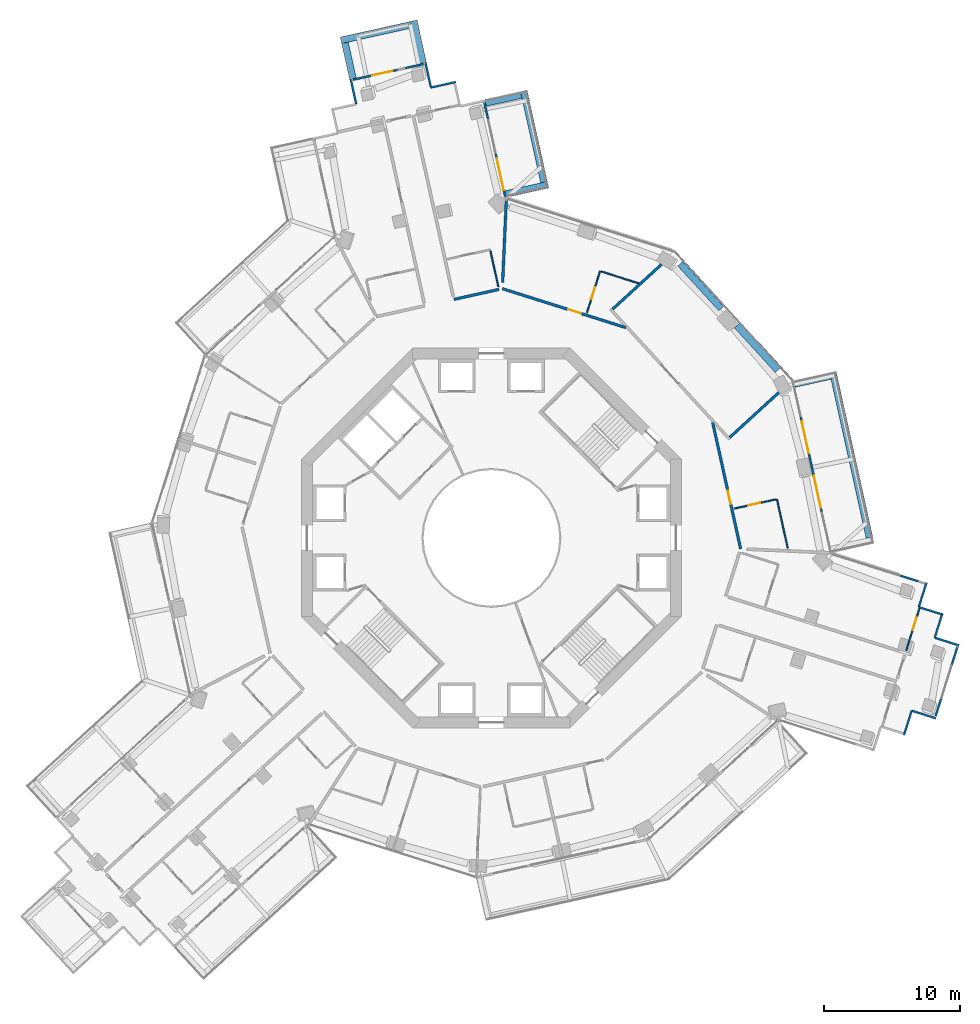
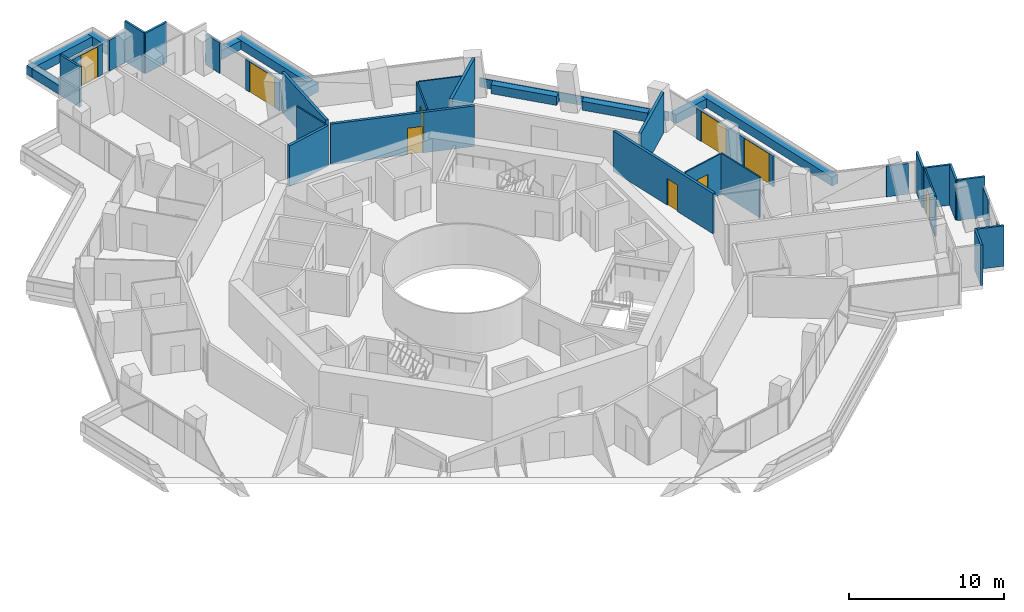
# One storey, part 21 of 24: 41 walls, 9 doors, 9 openings.
"""IFC4 building model written with IfcOpenShell, lengths in metres."""

from ifc_helpers import new_model, si_unit, direction, frame, frame_2d, origin, place, context, subcontext, project, spatial, rectangle, extrude, material, layer, layer_set, type_object, element, fill, save


model = new_model("IFC4")

# Units and contexts
model_context = context("Model", 3, precision=1e-05, world=origin(), true_north=direction((0.0, 1.0)))
body_context = subcontext(model_context, "Body", "Model", "MODEL_VIEW")
ifc_project = project(units=[si_unit("LENGTHUNIT", "METRE"), si_unit("AREAUNIT", "SQUARE_METRE"), si_unit("VOLUMEUNIT", "CUBIC_METRE"), si_unit("PLANEANGLEUNIT", "RADIAN"), si_unit("MASSUNIT", "GRAM", prefix="KILO")], contexts=[model_context])

# Site, building, storey
site_placement = place(None, origin())
site = spatial("IfcSite", under=ifc_project, at=site_placement, CompositionType="ELEMENT")
building_placement = place(site_placement, origin())
building = spatial("IfcBuilding", under=site, at=building_placement, Name="Verdalira Terraces Hotel", CompositionType="ELEMENT")
storey_placement = place(building_placement, frame((0.0, 0.0, 86.0)))
storey = spatial("IfcBuildingStorey", under=building, at=storey_placement, Name="L19", CompositionType="ELEMENT", Elevation=86.0)

# Walls
ifc_material_1 = material(Name="Concrete C40", Category="concrete")
ifc_layer_1 = layer(ifc_material_1, 0.5)
ifc_layer_set_1 = layer_set([ifc_layer_1], Name="Balcony planter trough with tree")
wall_type_1 = type_object("IfcWallType", Name="Balcony planter trough with tree", PredefinedType="SOLIDWALL", material=ifc_layer_set_1)
wall_1_placement = place(storey_placement, frame((-5.029785, 34.987793, 0.0), z_axis=(0.0, 0.0, 1.0), x_axis=(-0.216049597, 0.97638239, 0.0)))
element("IfcWall", 1, at=wall_1_placement, inside=storey, type_object=wall_type_1, Name="Balcony planter", PredefinedType="SOLIDWALL", context=body_context, shape_type="SweptSolid", body=[
    extrude(rectangle(XDim=3.198975, YDim=0.5, at=frame_2d((1.599609, 0.0))), origin(), (0.0, 0.0, 1.0), 0.699951),
])
wall_2_placement = place(storey_placement, frame((-5.911133, 37.813232, 0.0), z_axis=(0.0, 0.0, 1.0), x_axis=(-0.976362332, -0.216140225, 0.0)))
element("IfcWall", 2, at=wall_2_placement, inside=storey, type_object=wall_type_1, Name="Balcony planter", PredefinedType="SOLIDWALL", context=body_context, shape_type="SweptSolid", body=[
    extrude(rectangle(XDim=5.299805, YDim=0.5, at=frame_2d((2.649902, 0.0))), origin(), (0.0, 0.0, 1.0), 0.699951),
])
wall_3_placement = place(storey_placement, frame((-10.787598, 36.477783, 0.0), z_axis=(0.0, 0.0, 1.0), x_axis=(0.216097128, -0.976371871, 0.0)))
element("IfcWall", 3, at=wall_3_placement, inside=storey, type_object=wall_type_1, Name="Balcony planter", PredefinedType="SOLIDWALL", context=body_context, shape_type="SweptSolid", body=[
    extrude(rectangle(XDim=2.698975, YDim=0.5, at=frame_2d((1.349609, 0.0))), origin(), (0.0, 0.0, 1.0), 0.699951),
])
wall_4_placement = place(storey_placement, frame((27.862061, 0.021484, 0.0), z_axis=(0.0, 0.0, 1.0), x_axis=(-0.216094896, 0.976372365, 0.0)))
element("IfcWall", 4, at=wall_4_placement, inside=storey, type_object=wall_type_1, Name="Balcony planter", PredefinedType="SOLIDWALL", context=body_context, shape_type="SweptSolid", body=[
    extrude(rectangle(XDim=12.5, YDim=0.5, at=frame_2d((6.25, 0.0))), origin(), (0.0, 0.0, 1.0), 0.699951),
])
wall_5_placement = place(storey_placement, frame((24.970703, 11.927979, 0.0), z_axis=(0.0, 0.0, 1.0), x_axis=(-0.976371871, -0.216097128, 0.0)))
element("IfcWall", 5, at=wall_5_placement, inside=storey, type_object=wall_type_1, Name="Balcony planter", PredefinedType="SOLIDWALL", context=body_context, shape_type="SweptSolid", body=[
    extrude(rectangle(XDim=2.698975, YDim=0.5, at=frame_2d((1.349609, 0.0))), origin(), (0.0, 0.0, 1.0), 0.699951),
])
wall_6_placement = place(storey_placement, frame((1.05127, 25.333984, 0.0), z_axis=(0.0, 0.0, 1.0), x_axis=(0.976362724, 0.216138453, 0.0)))
element("IfcWall", 6, at=wall_6_placement, inside=storey, type_object=wall_type_1, Name="Balcony planter", PredefinedType="SOLIDWALL", context=body_context, shape_type="SweptSolid", body=[
    extrude(rectangle(XDim=3.198975, YDim=0.5, at=frame_2d((1.599609, 0.0))), origin(), (0.0, 0.0, 1.0), 0.699951),
])
wall_7_placement = place(storey_placement, frame((3.876465, 26.215576, 0.0), z_axis=(0.0, 0.0, 1.0), x_axis=(-0.216086038, 0.976374326, 0.0)))
element("IfcWall", 7, at=wall_7_placement, inside=storey, type_object=wall_type_1, Name="Balcony planter", PredefinedType="SOLIDWALL", context=body_context, shape_type="SweptSolid", body=[
    extrude(rectangle(XDim=6.888672, YDim=0.5, at=frame_2d((3.444336, 0.0))), origin(), (0.0, 0.0, 1.0), 0.699951),
])
wall_8_placement = place(storey_placement, frame((2.197754, 32.643311, 0.0), z_axis=(0.0, 0.0, 1.0), x_axis=(-0.976371871, -0.216097128, 0.0)))
element("IfcWall", 8, at=wall_8_placement, inside=storey, type_object=wall_type_1, Name="Balcony planter", PredefinedType="SOLIDWALL", context=body_context, shape_type="SweptSolid", body=[
    extrude(rectangle(XDim=2.698975, YDim=0.5, at=frame_2d((1.349609, 0.0))), origin(), (0.0, 0.0, 1.0), 0.699951),
])
ifc_material_2 = material(Name="Moisture-resistant gypsum board partition")
ifc_layer_2 = layer(ifc_material_2, 0.10009765625)
ifc_layer_set_2 = layer_set([ifc_layer_2], Name="Bathroom partition 100 mm")
wall_type_2 = type_object("IfcWallType", Name="Bathroom partition 100 mm", PredefinedType="PARTITIONING", material=ifc_layer_set_2)
wall_9_placement = place(storey_placement, frame((0.512939, 18.506348, 0.0), z_axis=(0.0, 0.0, 1.0), x_axis=(-0.216107015, 0.976369683, 0.0)))
element("IfcWall", 9, at=wall_9_placement, inside=storey, type_object=wall_type_2, Name="Bathroom partition", PredefinedType="PARTITIONING", context=body_context, shape_type="SweptSolid", body=[
    extrude(rectangle(XDim=2.699951, YDim=0.100098, at=frame_2d((1.350098, 0.0))), origin(), (0.0, 0.0, 1.0), 3.189941),
])

# Wall, opening, door
wall_10_placement = place(storey_placement, frame((8.008057, 19.659668, 0.0), z_axis=(0.0, 0.0, 1.0), x_axis=(-0.30096706, -0.953634536, 0.0)))
wall_10 = element("IfcWall", 10, at=wall_10_placement, inside=storey, type_object=wall_type_2, Name="Bathroom partition", PredefinedType="PARTITIONING", context=body_context, shape_type="SweptSolid", body=[
    extrude(rectangle(XDim=3.200195, YDim=0.100098, at=frame_2d((1.600098, 0.0))), origin(), (0.0, 0.0, 1.0), 3.189941),
])
opening_1_placement = place(wall_10_placement, frame((1.25, 0.0, 0.0)))
opening_1 = element("IfcOpeningElement", 11, at=opening_1_placement, cuts=wall_10, Name="Opening L19-136", PredefinedType="OPENING", context=body_context, shape_type="SweptSolid", body=[
    extrude(rectangle(XDim=0.899902, YDim=2.100098, at=frame_2d((0.449951, 1.050049))), frame((0.0, 0.060059, 0.0), z_axis=(0.0, -1.0, 0.0), x_axis=(1.0, 0.0, 0.0)), (0.0, 0.0, 1.0), 0.120117),
])
ifc_material_3 = material(Name="Timber door", Category="wood")
door_type_1 = type_object("IfcDoorType", Name="Bathroom door 900 x 2100", OperationType="NOTDEFINED", PredefinedType="DOOR", material=ifc_material_3)
door_1_placement = place(opening_1_placement, origin())
door_1 = element("IfcDoor", 12, at=door_1_placement, inside=storey, type_object=door_type_1, Name="Bathroom door 1912", OperationType="SINGLE_SWING_LEFT", OverallHeight=2.10009765625, OverallWidth=0.89990234375, PredefinedType="DOOR", context=body_context, shape_type="SweptSolid", body=[
    extrude(rectangle(XDim=0.899902, YDim=2.100098, at=frame_2d((0.449951, 1.050049))), frame((0.0, 0.024902, 0.0), z_axis=(0.0, -1.0, 0.0), x_axis=(1.0, 0.0, 0.0)), (0.0, 0.0, 1.0), 0.050049),
])
fill(opening_1, door_1)

# Wall
wall_11_placement = place(storey_placement, frame((8.103516, 19.629395, 0.0), z_axis=(0.0, 0.0, 1.0), x_axis=(0.953625738, -0.300994936, 0.0)))
element("IfcWall", 13, at=wall_11_placement, inside=storey, type_object=wall_type_2, Name="Bathroom partition", PredefinedType="PARTITIONING", context=body_context, shape_type="SweptSolid", body=[
    extrude(rectangle(XDim=2.911865, YDim=0.100098, at=frame_2d((1.456055, 0.0))), origin(), (0.0, 0.0, 1.0), 3.189941),
])

# Wall, opening, door
wall_12_placement = place(storey_placement, frame((20.940674, 2.833984, 0.0), z_axis=(0.0, 0.0, 1.0), x_axis=(-0.976368326, -0.216113147, 0.0)))
wall_12 = element("IfcWall", 14, at=wall_12_placement, inside=storey, type_object=wall_type_2, Name="Bathroom partition", PredefinedType="PARTITIONING", context=body_context, shape_type="SweptSolid", body=[
    extrude(rectangle(XDim=3.099854, YDim=0.100098, at=frame_2d((1.549805, 0.0))), origin(), (0.0, 0.0, 1.0), 3.189941),
])
opening_2_placement = place(wall_12_placement, frame((1.149902, 0.0, 0.0)))
opening_2 = element("IfcOpeningElement", 15, at=opening_2_placement, cuts=wall_12, Name="Opening L19-134", PredefinedType="OPENING", context=body_context, shape_type="SweptSolid", body=[
    extrude(rectangle(XDim=0.899902, YDim=2.100098, at=frame_2d((0.449951, 1.050049))), frame((0.0, 0.060059, 0.0), z_axis=(0.0, -1.0, 0.0), x_axis=(1.0, 0.0, 0.0)), (0.0, 0.0, 1.0), 0.120117),
])
door_2_placement = place(opening_2_placement, origin())
door_2 = element("IfcDoor", 16, at=door_2_placement, inside=storey, type_object=door_type_1, Name="Bathroom door 1911", OperationType="SINGLE_SWING_LEFT", OverallHeight=2.10009765625, OverallWidth=0.89990234375, PredefinedType="DOOR", context=body_context, shape_type="SweptSolid", body=[
    extrude(rectangle(XDim=0.899902, YDim=2.100098, at=frame_2d((0.449951, 1.050049))), frame((0.0, 0.024902, 0.0), z_axis=(0.0, -1.0, 0.0), x_axis=(1.0, 0.0, 0.0)), (0.0, 0.0, 1.0), 0.050049),
])
fill(opening_2, door_2)

# Wall
wall_13_placement = place(storey_placement, frame((21.03833, 2.855469, 0.0), z_axis=(0.0, 0.0, 1.0), x_axis=(0.2161278, -0.976365082, 0.0)))
element("IfcWall", 17, at=wall_13_placement, inside=storey, type_object=wall_type_2, Name="Bathroom partition", PredefinedType="PARTITIONING", context=body_context, shape_type="SweptSolid", body=[
    extrude(rectangle(XDim=3.704102, YDim=0.100098, at=frame_2d((1.852051, 0.0))), origin(), (0.0, 0.0, 1.0), 3.189941),
])

# Wall, opening, door
wall_14_placement = place(storey_placement, frame((30.570312, -8.287354, 0.0), z_axis=(0.0, 0.0, 1.0), x_axis=(0.301030769, 0.953614427, 0.0)))
wall_14 = element("IfcWall", 18, at=wall_14_placement, inside=storey, type_object=wall_type_2, Name="Bathroom partition", PredefinedType="PARTITIONING", context=body_context, shape_type="SweptSolid", body=[
    extrude(rectangle(XDim=3.252197, YDim=0.100098, at=frame_2d((1.625977, 0.0))), origin(), (0.0, 0.0, 1.0), 3.189941),
])
opening_3_placement = place(wall_14_placement, frame((1.550049, 0.0, 0.0)))
opening_3 = element("IfcOpeningElement", 19, at=opening_3_placement, cuts=wall_14, Name="Opening L19-130", PredefinedType="OPENING", context=body_context, shape_type="SweptSolid", body=[
    extrude(rectangle(XDim=1.0, YDim=2.100098, at=frame_2d((0.5, 1.050049))), frame((0.0, 0.060059, 0.0), z_axis=(0.0, -1.0, 0.0), x_axis=(1.0, 0.0, 0.0)), (0.0, 0.0, 1.0), 0.120117),
])
ifc_material_4 = material(Name="Timber door", Category="wood")
door_type_2 = type_object("IfcDoorType", Name="Suite internal door 1000 x 2100", OperationType="NOTDEFINED", PredefinedType="DOOR", material=ifc_material_4)
door_3_placement = place(opening_3_placement, origin())
door_3 = element("IfcDoor", 20, at=door_3_placement, inside=storey, type_object=door_type_2, Name="Suite internal door 1910", OperationType="SINGLE_SWING_LEFT", OverallHeight=2.10009765625, OverallWidth=1.0, PredefinedType="DOOR", context=body_context, shape_type="SweptSolid", body=[
    extrude(rectangle(XDim=1.0, YDim=2.100098, at=frame_2d((0.5, 1.050049))), frame((0.0, 0.024902, 0.0), z_axis=(0.0, -1.0, 0.0), x_axis=(1.0, 0.0, 0.0)), (0.0, 0.0, 1.0), 0.050049),
])
fill(opening_3, door_3)

# Walls
ifc_material_5 = material(Name="Fire-rated gypsum board wall")
ifc_layer_3 = layer(ifc_material_5, 0.199951171875)
ifc_layer_set_3 = layer_set([ifc_layer_3], Name="Demising wall 200 mm")
wall_type_3 = type_object("IfcWallType", Name="Demising wall 200 mm", PredefinedType="SOLIDWALL", material=ifc_layer_set_3)
wall_15_placement = place(storey_placement, frame((1.097656, 24.939941, 0.0), z_axis=(0.0, 0.0, 1.0), x_axis=(-0.04399355, -0.999031815, 0.0)))
element("IfcWall", 21, at=wall_15_placement, inside=storey, type_object=wall_type_3, Name="Demising wall", PredefinedType="SOLIDWALL", context=body_context, shape_type="SweptSolid", body=[
    extrude(rectangle(XDim=6.13208, YDim=0.199951, at=frame_2d((3.065918, 0.0))), origin(), (0.0, 0.0, 1.0), 3.189941),
])
ifc_material_6 = material(Name="Fire-rated gypsum board wall")
ifc_layer_4 = layer(ifc_material_6, 0.199951171875)
ifc_layer_set_4 = layer_set([ifc_layer_4], Name="Guest corridor wall 200 mm")
wall_type_4 = type_object("IfcWallType", Name="Guest corridor wall 200 mm", PredefinedType="SOLIDWALL", material=ifc_layer_set_4)
wall_16_placement = place(storey_placement, frame((0.556152, 18.311279, 0.0), z_axis=(0.0, 0.0, 1.0), x_axis=(-0.976362456, -0.216139663, 0.0)))
element("IfcWall", 22, at=wall_16_placement, inside=storey, type_object=wall_type_4, Name="Guest corridor wall", PredefinedType="SOLIDWALL", context=body_context, shape_type="SweptSolid", body=[
    extrude(rectangle(XDim=3.399902, YDim=0.199951, at=frame_2d((1.699951, 0.0))), origin(), (0.0, 0.0, 1.0), 3.189941),
])

# Wall, opening, door
wall_17_placement = place(storey_placement, frame((0.80835, 18.366943, 0.0), z_axis=(0.0, 0.0, 1.0), x_axis=(0.953613226, -0.301034575, 0.0)))
wall_17 = element("IfcWall", 23, at=wall_17_placement, inside=storey, type_object=wall_type_4, Name="Guest corridor wall", PredefinedType="SOLIDWALL", context=body_context, shape_type="SweptSolid", body=[
    extrude(rectangle(XDim=9.536621, YDim=0.199951, at=frame_2d((4.768311, 0.0))), origin(), (0.0, 0.0, 1.0), 3.189941),
])
opening_4_placement = place(wall_17_placement, frame((5.100098, 0.0, 0.0)))
opening_4 = element("IfcOpeningElement", 24, at=opening_4_placement, cuts=wall_17, Name="Opening L19-135", PredefinedType="OPENING", context=body_context, shape_type="SweptSolid", body=[
    extrude(rectangle(XDim=1.0, YDim=2.100098, at=frame_2d((0.5, 1.050049))), frame((0.0, 0.109863, 0.0), z_axis=(0.0, -1.0, 0.0), x_axis=(1.0, 0.0, 0.0)), (0.0, 0.0, 1.0), 0.219971),
])
ifc_material_7 = material(Name="Timber fire door", Category="wood")
door_type_3 = type_object("IfcDoorType", Name="Guest entry door 1000 x 2100", OperationType="NOTDEFINED", PredefinedType="DOOR", material=ifc_material_7)
door_4_placement = place(opening_4_placement, origin())
door_4 = element("IfcDoor", 25, at=door_4_placement, inside=storey, type_object=door_type_3, Name="Guest entry door 1912", OperationType="SINGLE_SWING_LEFT", OverallHeight=2.10009765625, OverallWidth=1.0, PredefinedType="DOOR", context=body_context, shape_type="SweptSolid", body=[
    extrude(rectangle(XDim=1.0, YDim=2.100098, at=frame_2d((0.5, 1.050049))), frame((0.0, 0.024902, 0.0), z_axis=(0.0, -1.0, 0.0), x_axis=(1.0, 0.0, 0.0)), (0.0, 0.0, 1.0), 0.050049),
])
fill(opening_4, door_4)

wall_18_placement = place(storey_placement, frame((16.306152, 8.50293, 0.0), z_axis=(0.0, 0.0, 1.0), x_axis=(0.216092794, -0.976372831, 0.0)))
wall_18 = element("IfcWall", 26, at=wall_18_placement, inside=storey, type_object=wall_type_4, Name="Guest corridor wall", PredefinedType="SOLIDWALL", context=body_context, shape_type="SweptSolid", body=[
    extrude(rectangle(XDim=9.536621, YDim=0.199951, at=frame_2d((4.768311, 0.0))), origin(), (0.0, 0.0, 1.0), 3.189941),
])
opening_5_placement = place(wall_18_placement, frame((5.149902, 0.0, 0.0)))
opening_5 = element("IfcOpeningElement", 27, at=opening_5_placement, cuts=wall_18, Name="Opening L19-133", PredefinedType="OPENING", context=body_context, shape_type="SweptSolid", body=[
    extrude(rectangle(XDim=1.0, YDim=2.100098, at=frame_2d((0.5, 1.050049))), frame((0.0, 0.109863, 0.0), z_axis=(0.0, -1.0, 0.0), x_axis=(1.0, 0.0, 0.0)), (0.0, 0.0, 1.0), 0.219971),
])
door_5_placement = place(opening_5_placement, origin())
door_5 = element("IfcDoor", 28, at=door_5_placement, inside=storey, type_object=door_type_3, Name="Guest entry door 1911", OperationType="SINGLE_SWING_LEFT", OverallHeight=2.10009765625, OverallWidth=1.0, PredefinedType="DOOR", context=body_context, shape_type="SweptSolid", body=[
    extrude(rectangle(XDim=1.0, YDim=2.100098, at=frame_2d((0.5, 1.050049))), frame((0.0, 0.024902, 0.0), z_axis=(0.0, -1.0, 0.0), x_axis=(1.0, 0.0, 0.0)), (0.0, 0.0, 1.0), 0.050049),
])
fill(opening_5, door_5)

# Walls
ifc_material_8 = material(Name="Terracotta cladding", Category="masonry")
ifc_layer_5 = layer(ifc_material_8, 0.199951171875)
ifc_layer_set_5 = layer_set([ifc_layer_5], Name="Loggia back wall 200")
wall_type_5 = type_object("IfcWallType", Name="Loggia back wall 200", PredefinedType="SOLIDWALL", material=ifc_layer_set_5)
wall_19_placement = place(storey_placement, frame((21.183594, 10.719727, 0.0), z_axis=(0.0, 0.0, 1.0), x_axis=(-0.737511524, -0.675334548, 0.0)))
element("IfcWall", 29, at=wall_19_placement, inside=storey, type_object=wall_type_5, Name="Loggia side wall", PredefinedType="SOLIDWALL", context=body_context, shape_type="SweptSolid", body=[
    extrude(rectangle(XDim=4.904297, YDim=0.199951, at=frame_2d((2.452148, 0.0))), origin(), (0.0, 0.0, 1.0), 3.189941),
])
wall_20_placement = place(storey_placement, frame((12.539062, 20.159668, 0.0), z_axis=(0.0, 0.0, 1.0), x_axis=(-0.737513614, -0.675332265, 0.0)))
element("IfcWall", 30, at=wall_20_placement, inside=storey, type_object=wall_type_5, Name="Loggia side wall", PredefinedType="SOLIDWALL", context=body_context, shape_type="SweptSolid", body=[
    extrude(rectangle(XDim=4.903809, YDim=0.199951, at=frame_2d((2.451904, 0.0))), origin(), (0.0, 0.0, 1.0), 3.189941),
])
ifc_material_9 = material(Name="Concrete C40", Category="concrete")
ifc_layer_6 = layer(ifc_material_9, 0.5)
ifc_layer_set_6 = layer_set([ifc_layer_6], Name="Loggia planter trough with tree")
wall_type_6 = type_object("IfcWallType", Name="Loggia planter trough with tree", PredefinedType="SOLIDWALL", material=ifc_layer_set_6)
wall_21_placement = place(storey_placement, frame((21.098633, 12.361084, 0.0), z_axis=(0.0, 0.0, 1.0), x_axis=(-0.675337587, 0.737508741, 0.0)))
element("IfcWall", 31, at=wall_21_placement, inside=storey, type_object=wall_type_6, Name="Loggia planter", PredefinedType="SOLIDWALL", context=body_context, shape_type="SweptSolid", body=[
    extrude(rectangle(XDim=4.457031, YDim=0.5, at=frame_2d((2.228516, 0.0))), origin(), (0.0, 0.0, 1.0), 0.699951),
])
wall_22_placement = place(storey_placement, frame((16.93335, 16.909668, 0.0), z_axis=(0.0, 0.0, 1.0), x_axis=(-0.675317482, 0.737527151, 0.0)))
element("IfcWall", 32, at=wall_22_placement, inside=storey, type_object=wall_type_6, Name="Loggia planter", PredefinedType="SOLIDWALL", context=body_context, shape_type="SweptSolid", body=[
    extrude(rectangle(XDim=4.454346, YDim=0.5, at=frame_2d((2.227051, 0.0))), origin(), (0.0, 0.0, 1.0), 0.699951),
])
ifc_material_10 = material(Name="Concrete C40", Category="concrete")
ifc_layer_7 = layer(ifc_material_10, 0.10009765625)
ifc_layer_set_7 = layer_set([ifc_layer_7], Name="Loggia upstand 100")
wall_type_7 = type_object("IfcWallType", Name="Loggia upstand 100", PredefinedType="SOLIDWALL", material=ifc_layer_set_7)
wall_23_placement = place(storey_placement, frame((22.189697, 11.61377, 0.0), z_axis=(0.0, 0.0, 1.0), x_axis=(-0.675335359, 0.737510781, 0.0)))
element("IfcWall", 33, at=wall_23_placement, inside=storey, type_object=wall_type_7, Name="Loggia upstand", PredefinedType="SOLIDWALL", context=body_context, shape_type="SweptSolid", body=[
    extrude(rectangle(XDim=12.840088, YDim=0.100098, at=frame_2d((6.419922, 0.0))), origin(), (0.0, 0.0, 1.0), 0.699951),
])
ifc_material_11 = material(Name="Terracotta cladding", Category="masonry")
ifc_layer_8 = layer(ifc_material_11, 0.14990234375)
ifc_layer_set_8 = layer_set([ifc_layer_8], Name="Terracotta clad wall 150")
wall_type_8 = type_object("IfcWallType", Name="Terracotta clad wall 150", PredefinedType="SOLIDWALL", material=ifc_layer_set_8)
wall_24_placement = place(storey_placement, frame((-2.622803, 33.599121, 0.0), z_axis=(0.0, 0.0, 1.0), x_axis=(-0.976358333, -0.216158287, 0.0)))
element("IfcWall", 34, at=wall_24_placement, inside=storey, type_object=wall_type_8, Name="Terracotta cladding wall", PredefinedType="SOLIDWALL", context=body_context, shape_type="SweptSolid", body=[
    extrude(rectangle(XDim=1.875, YDim=0.149902, at=frame_2d((0.9375, 0.0))), origin(), (0.0, 0.0, 1.0), 3.189941),
])
wall_25_placement = place(storey_placement, frame((-4.453369, 33.193848, 0.0), z_axis=(0.0, 0.0, 1.0), x_axis=(-0.216130808, 0.976364416, 0.0)))
element("IfcWall", 35, at=wall_25_placement, inside=storey, type_object=wall_type_8, Name="Terracotta cladding wall", PredefinedType="SOLIDWALL", context=body_context, shape_type="SweptSolid", body=[
    extrude(rectangle(XDim=1.875244, YDim=0.149902, at=frame_2d((0.9375, 0.0))), origin(), (0.0, 0.0, 1.0), 3.189941),
])
for number, where, z_axis, x_axis, name in (
    (36, (-10.375, 33.803711, 0.0), (0.0, 0.0, 1.0), (0.216006686, -0.976391884, 0.0), "Terracotta cladding wall"),
    (37, (30.40918, -14.52832, 0.0), (0.0, 0.0, 1.0), (0.301031663, 0.953614145, 0.0), "Terracotta cladding wall"),
):
    element("IfcWall", number, at=place(storey_placement, frame(where, z_axis=z_axis, x_axis=x_axis)), inside=storey, type_object=wall_type_8, Name=name, PredefinedType="SOLIDWALL", context=body_context, shape_type="SweptSolid", body=[
        extrude(rectangle(XDim=1.875, YDim=0.149902, at=frame_2d((0.9375, 0.0))), origin(), (0.0, 0.0, 1.0), 3.189941),
    ])
wall_26_placement = place(storey_placement, frame((30.973633, -12.740234, 0.0), z_axis=(0.0, 0.0, 1.0), x_axis=(0.953602344, -0.301069045, 0.0)))
element("IfcWall", 38, at=wall_26_placement, inside=storey, type_object=wall_type_8, Name="Terracotta cladding wall", PredefinedType="SOLIDWALL", context=body_context, shape_type="SweptSolid", body=[
    extrude(rectangle(XDim=1.874756, YDim=0.149902, at=frame_2d((0.9375, 0.0))), origin(), (0.0, 0.0, 1.0), 3.189941),
])
wall_27_placement = place(storey_placement, frame((34.462402, -7.916748, 0.0), z_axis=(0.0, 0.0, 1.0), x_axis=(-0.953614145, 0.301031663, 0.0)))
element("IfcWall", 39, at=wall_27_placement, inside=storey, type_object=wall_type_8, Name="Terracotta cladding wall", PredefinedType="SOLIDWALL", context=body_context, shape_type="SweptSolid", body=[
    extrude(rectangle(XDim=1.875, YDim=0.149902, at=frame_2d((0.9375, 0.0))), origin(), (0.0, 0.0, 1.0), 3.189941),
])
wall_28_placement = place(storey_placement, frame((32.674316, -7.352295, 0.0), z_axis=(0.0, 0.0, 1.0), x_axis=(0.301092422, 0.953594963, 0.0)))
element("IfcWall", 40, at=wall_28_placement, inside=storey, type_object=wall_type_8, Name="Terracotta cladding wall", PredefinedType="SOLIDWALL", context=body_context, shape_type="SweptSolid", body=[
    extrude(rectangle(XDim=1.800049, YDim=0.149902, at=frame_2d((0.899902, 0.0))), origin(), (0.0, 0.0, 1.0), 3.189941),
])
for number, where, z_axis, x_axis, name in (
    (41, (33.287842, -5.658447, 0.0), (0.0, 0.0, 1.0), (-0.953614145, 0.301031663, 0.0), "Terracotta cladding wall"),
    (42, (31.499756, -5.093994, 0.0), (0.0, 0.0, 1.0), (0.301031663, 0.953614145, 0.0), "Terracotta cladding wall"),
):
    element("IfcWall", number, at=place(storey_placement, frame(where, z_axis=z_axis, x_axis=x_axis)), inside=storey, type_object=wall_type_8, Name=name, PredefinedType="SOLIDWALL", context=body_context, shape_type="SweptSolid", body=[
        extrude(rectangle(XDim=1.875, YDim=0.149902, at=frame_2d((0.9375, 0.0))), origin(), (0.0, 0.0, 1.0), 3.189941),
    ])
ifc_material_12 = material(Name="Terracotta cladding", Category="masonry")
ifc_layer_9 = layer(ifc_material_12, 0.14990234375)
ifc_layer_set_9 = layer_set([ifc_layer_9], Name="Terracotta column pier 150")
wall_type_9 = type_object("IfcWallType", Name="Terracotta column pier 150", PredefinedType="SOLIDWALL", material=ifc_layer_set_9)
wall_29_placement = place(storey_placement, frame((-0.230225, 30.771484, 0.0), z_axis=(0.0, 0.0, 1.0), x_axis=(-0.215941302, 0.976406347, 0.0)))
element("IfcWall", 43, at=wall_29_placement, inside=storey, type_object=wall_type_9, Name="Terracotta column pier", PredefinedType="SOLIDWALL", context=body_context, shape_type="SweptSolid", body=[
    extrude(rectangle(XDim=1.333008, YDim=0.149902, at=frame_2d((0.666504, 0.0))), origin(), (0.0, 0.0, 1.0), 2.425049),
])
wall_30_placement = place(storey_placement, frame((-4.993652, 34.917969, 0.0), z_axis=(0.0, 0.0, 1.0), x_axis=(-0.976372571, -0.216093965, 0.0)))
element("IfcWall", 44, at=wall_30_placement, inside=storey, type_object=wall_type_9, Name="Terracotta column pier", PredefinedType="SOLIDWALL", context=body_context, shape_type="SweptSolid", body=[
    extrude(rectangle(XDim=1.390869, YDim=0.149902, at=frame_2d((0.695312, 0.0))), origin(), (0.0, 0.0, 1.0), 2.425049),
])
wall_31_placement = place(storey_placement, frame((32.736572, -13.134277, 0.0), z_axis=(0.0, 0.0, 1.0), x_axis=(0.301072555, 0.953601236, 0.0)))
element("IfcWall", 45, at=wall_31_placement, inside=storey, type_object=wall_type_9, Name="Terracotta column pier", PredefinedType="SOLIDWALL", context=body_context, shape_type="SweptSolid", body=[
    extrude(rectangle(XDim=1.390625, YDim=0.149902, at=frame_2d((0.695312, 0.0))), origin(), (0.0, 0.0, 1.0), 2.425049),
])
wall_32_placement = place(storey_placement, frame((33.916748, -9.39624, 0.0), z_axis=(0.0, 0.0, 1.0), x_axis=(0.301024406, 0.953616436, 0.0)))
element("IfcWall", 46, at=wall_32_placement, inside=storey, type_object=wall_type_9, Name="Terracotta column pier", PredefinedType="SOLIDWALL", context=body_context, shape_type="SweptSolid", body=[
    extrude(rectangle(XDim=1.420166, YDim=0.149902, at=frame_2d((0.709961, 0.0))), origin(), (0.0, 0.0, 1.0), 2.425049),
])
wall_33_placement = place(storey_placement, frame((31.4646, -3.195312, 0.0), z_axis=(0.0, 0.0, 1.0), x_axis=(-0.953617964, 0.301019564, 0.0)))
element("IfcWall", 47, at=wall_33_placement, inside=storey, type_object=wall_type_9, Name="Terracotta column pier", PredefinedType="SOLIDWALL", context=body_context, shape_type="SweptSolid", body=[
    extrude(rectangle(XDim=1.463135, YDim=0.149902, at=frame_2d((0.731445, 0.0))), origin(), (0.0, 0.0, 1.0), 2.425049),
])

# Wall, opening, door
ifc_material_13 = material(Name="Terracotta cladding", Category="masonry")
ifc_layer_10 = layer(ifc_material_13, 0.14990234375)
ifc_layer_set_10 = layer_set([ifc_layer_10], Name="Terracotta door pier 150")
wall_type_10 = type_object("IfcWallType", Name="Terracotta door pier 150", PredefinedType="SOLIDWALL", material=ifc_layer_set_10)
wall_34_placement = place(storey_placement, frame((1.015869, 25.141846, 0.0), z_axis=(0.0, 0.0, 1.0), x_axis=(-0.216074883, 0.976376795, 0.0)))
wall_34 = element("IfcWall", 48, at=wall_34_placement, inside=storey, type_object=wall_type_10, Name="Terracotta door pier", PredefinedType="SOLIDWALL", context=body_context, shape_type="SweptSolid", body=[
    extrude(rectangle(XDim=3.293701, YDim=0.149902, at=frame_2d((1.646973, 0.0))), origin(), (0.0, 0.0, 1.0), 2.425049),
])
opening_6_placement = place(wall_34_placement, frame((0.493652, 0.0, 0.0)))
opening_6 = element("IfcOpeningElement", 49, at=opening_6_placement, cuts=wall_34, Name="Opening L19-B01", PredefinedType="OPENING", context=body_context, shape_type="SweptSolid", body=[
    extrude(rectangle(XDim=2.399902, YDim=2.399902, at=frame_2d((1.199951, 1.199951))), frame((0.0, 0.084961, 0.0), z_axis=(0.0, -1.0, 0.0), x_axis=(1.0, 0.0, 0.0)), (0.0, 0.0, 1.0), 0.169922),
])
ifc_material_14 = material(Name="Clear glass", Category="glass")
door_type_4 = type_object("IfcDoorType", Name="Balcony sliding door 2400x2400", OperationType="NOTDEFINED", PredefinedType="DOOR", material=ifc_material_14)
door_6_placement = place(opening_6_placement, origin())
door_6 = element("IfcDoor", 50, at=door_6_placement, inside=storey, type_object=door_type_4, Name="Balcony sliding door", OperationType="SLIDING_TO_LEFT", OverallHeight=2.39990234375, OverallWidth=2.39990234375, PredefinedType="DOOR", context=body_context, shape_type="SweptSolid", body=[
    extrude(rectangle(XDim=2.399902, YDim=2.399902, at=frame_2d((1.199951, 1.199951))), frame((0.0, 0.024902, 0.0), z_axis=(0.0, -1.0, 0.0), x_axis=(1.0, 0.0, 0.0)), (0.0, 0.0, 1.0), 0.050049),
])
fill(opening_6, door_6)

wall_35_placement = place(storey_placement, frame((-6.917236, 34.492188, 0.0), z_axis=(0.0, 0.0, 1.0), x_axis=(-0.976369111, -0.216109598, 0.0)))
wall_35 = element("IfcWall", 51, at=wall_35_placement, inside=storey, type_object=wall_type_10, Name="Terracotta door pier", PredefinedType="SOLIDWALL", context=body_context, shape_type="SweptSolid", body=[
    extrude(rectangle(XDim=3.369873, YDim=0.149902, at=frame_2d((1.685059, 0.0))), origin(), (0.0, 0.0, 1.0), 2.425049),
])
opening_7_placement = place(wall_35_placement, frame((0.399902, 0.0, 0.0)))
opening_7 = element("IfcOpeningElement", 52, at=opening_7_placement, cuts=wall_35, Name="Opening L19-B02", PredefinedType="OPENING", context=body_context, shape_type="SweptSolid", body=[
    extrude(rectangle(XDim=1.5, YDim=2.399902, at=frame_2d((0.75, 1.199951))), frame((0.0, 0.084961, 0.0), z_axis=(0.0, -1.0, 0.0), x_axis=(1.0, 0.0, 0.0)), (0.0, 0.0, 1.0), 0.169922),
])
ifc_material_15 = material(Name="Clear glass", Category="glass")
door_type_5 = type_object("IfcDoorType", Name="Balcony sliding door 1500x2400", OperationType="NOTDEFINED", PredefinedType="DOOR", material=ifc_material_15)
door_7_placement = place(opening_7_placement, origin())
door_7 = element("IfcDoor", 53, at=door_7_placement, inside=storey, type_object=door_type_5, Name="Balcony sliding door", OperationType="SLIDING_TO_RIGHT", OverallHeight=2.39990234375, OverallWidth=1.5, PredefinedType="DOOR", context=body_context, shape_type="SweptSolid", body=[
    extrude(rectangle(XDim=1.5, YDim=2.399902, at=frame_2d((0.75, 1.199951))), frame((0.0, 0.024902, 0.0), z_axis=(0.0, -1.0, 0.0), x_axis=(1.0, 0.0, 0.0)), (0.0, 0.0, 1.0), 0.050049),
])
fill(opening_7, door_7)

wall_36_placement = place(storey_placement, frame((24.362793, 1.833008, 0.0), z_axis=(0.0, 0.0, 1.0), x_axis=(-0.216097265, 0.976371841, 0.0)))
wall_36 = element("IfcWall", 54, at=wall_36_placement, inside=storey, type_object=wall_type_10, Name="Terracotta door pier", PredefinedType="SOLIDWALL", context=body_context, shape_type="SweptSolid", body=[
    extrude(rectangle(XDim=3.475098, YDim=0.149902, at=frame_2d((1.737549, 0.0))), origin(), (0.0, 0.0, 1.0), 2.425049),
])
opening_8_placement = place(wall_36_placement, frame((0.399902, 0.0, 0.0)))
opening_8 = element("IfcOpeningElement", 55, at=opening_8_placement, cuts=wall_36, Name="Opening L19-B17", PredefinedType="OPENING", context=body_context, shape_type="SweptSolid", body=[
    extrude(rectangle(XDim=2.399902, YDim=2.399902, at=frame_2d((1.199951, 1.199951))), frame((0.0, 0.084961, 0.0), z_axis=(0.0, -1.0, 0.0), x_axis=(1.0, 0.0, 0.0)), (0.0, 0.0, 1.0), 0.169922),
])
door_8_placement = place(opening_8_placement, origin())
door_8 = element("IfcDoor", 56, at=door_8_placement, inside=storey, type_object=door_type_4, Name="Balcony sliding door", OperationType="SLIDING_TO_RIGHT", OverallHeight=2.39990234375, OverallWidth=2.39990234375, PredefinedType="DOOR", context=body_context, shape_type="SweptSolid", body=[
    extrude(rectangle(XDim=2.399902, YDim=2.399902, at=frame_2d((1.199951, 1.199951))), frame((0.0, 0.024902, 0.0), z_axis=(0.0, -1.0, 0.0), x_axis=(1.0, 0.0, 0.0)), (0.0, 0.0, 1.0), 0.050049),
])
fill(opening_8, door_8)

wall_37_placement = place(storey_placement, frame((23.611816, 5.226074, 0.0), z_axis=(0.0, 0.0, 1.0), x_axis=(-0.216101395, 0.976370927, 0.0)))
wall_37 = element("IfcWall", 57, at=wall_37_placement, inside=storey, type_object=wall_type_10, Name="Terracotta door pier", PredefinedType="SOLIDWALL", context=body_context, shape_type="SweptSolid", body=[
    extrude(rectangle(XDim=3.835449, YDim=0.149902, at=frame_2d((1.917725, 0.0))), origin(), (0.0, 0.0, 1.0), 2.425049),
])
opening_9_placement = place(wall_37_placement, frame((1.0354, 0.0, 0.0)))
opening_9 = element("IfcOpeningElement", 58, at=opening_9_placement, cuts=wall_37, Name="Opening L19-B18", PredefinedType="OPENING", context=body_context, shape_type="SweptSolid", body=[
    extrude(rectangle(XDim=2.399902, YDim=2.399902, at=frame_2d((1.199951, 1.199951))), frame((0.0, 0.084961, 0.0), z_axis=(0.0, -1.0, 0.0), x_axis=(1.0, 0.0, 0.0)), (0.0, 0.0, 1.0), 0.169922),
])
door_9_placement = place(opening_9_placement, origin())
door_9 = element("IfcDoor", 59, at=door_9_placement, inside=storey, type_object=door_type_4, Name="Balcony sliding door", OperationType="SLIDING_TO_LEFT", OverallHeight=2.39990234375, OverallWidth=2.39990234375, PredefinedType="DOOR", context=body_context, shape_type="SweptSolid", body=[
    extrude(rectangle(XDim=2.399902, YDim=2.399902, at=frame_2d((1.199951, 1.199951))), frame((0.0, 0.024902, 0.0), z_axis=(0.0, -1.0, 0.0), x_axis=(1.0, 0.0, 0.0)), (0.0, 0.0, 1.0), 0.050049),
])
fill(opening_9, door_9)

save(model, "model.ifc")
